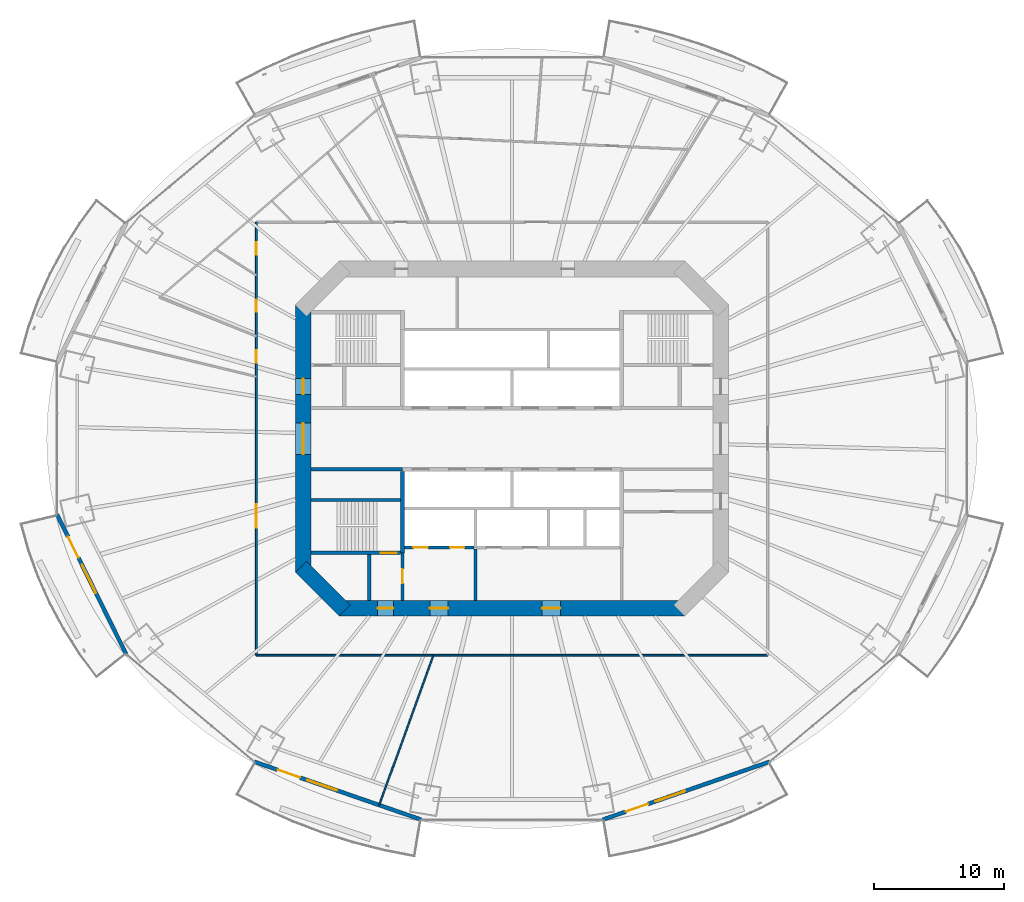
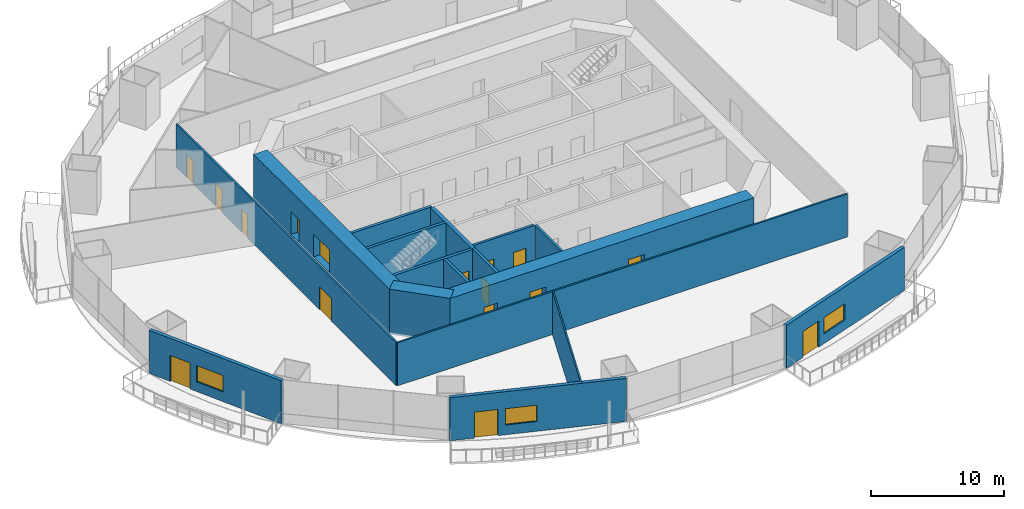
# One storey, part 13 of 22: 17 walls, 16 doors, 3 windows, 19 openings.
"""IFC4 building model written with IfcOpenShell, lengths in metres."""

from ifc_helpers import new_model, si_unit, direction, frame, frame_2d, origin, place, context, subcontext, project, spatial, rectangle, extrude, material, layer, layer_set, type_object, element, fill, save


model = new_model("IFC4")

# Units and contexts
model_context = context("Model", 3, precision=1e-05, world=origin(), true_north=direction((0.0, 1.0)))
body_context = subcontext(model_context, "Body", "Model", "MODEL_VIEW")
ifc_project = project(units=[si_unit("LENGTHUNIT", "METRE"), si_unit("AREAUNIT", "SQUARE_METRE"), si_unit("VOLUMEUNIT", "CUBIC_METRE"), si_unit("PLANEANGLEUNIT", "RADIAN"), si_unit("MASSUNIT", "GRAM", prefix="KILO")], contexts=[model_context])

# Site, building, storey
site_placement = place(None, origin())
site = spatial("IfcSite", under=ifc_project, at=site_placement, CompositionType="ELEMENT")
building_placement = place(site_placement, origin())
building = spatial("IfcBuilding", under=site, at=building_placement, Name="Marenthal Gate Tower", CompositionType="ELEMENT")
storey_placement = place(building_placement, frame((0.0, 0.0, 70.35009765625)))
storey = spatial("IfcBuildingStorey", under=building, at=storey_placement, Name="L13", CompositionType="ELEMENT", Elevation=70.35009765625)

# Wall, openings, doors
ifc_material_1 = material(Name="Concrete 60 MPa", Category="concrete")
ifc_layer_1 = layer(ifc_material_1, 1.199951171875)
ifc_layer_set_1 = layer_set([ifc_layer_1], Name="Core shear wall 1200")
wall_type_1 = type_object("IfcWallType", Name="Core shear wall 1200", PredefinedType="SHEAR", material=ifc_layer_set_1)
wall_1_placement = place(storey_placement, frame((-16.0, 10.24853515625, -0.18017578125), z_axis=(0.0, 0.0, 1.0), x_axis=(0.0, -1.0, 0.0)))
wall_1 = element("IfcWall", 1, at=wall_1_placement, inside=storey, type_object=wall_type_1, Name="Core wall 06", PredefinedType="SHEAR", context=body_context, shape_type="SweptSolid", body=[
    extrude(rectangle(XDim=20.4970703125, YDim=1.199951171875, at=frame_2d((10.24853515625, 0.0))), origin(), (0.0, 0.0, 1.0), 4.150146484375),
])
opening_1_placement = place(wall_1_placement, frame((9.048583984375, 0.0, 0.179931640625)))
opening_1 = element("IfcOpeningElement", 2, at=opening_1_placement, cuts=wall_1, Name="Opening D003.01", PredefinedType="OPENING", context=body_context, shape_type="SweptSolid", body=[
    extrude(rectangle(XDim=2.39990234375, YDim=2.10009765625, at=frame_2d((1.199951171875, 1.050048828125))), frame((0.0, 0.60986328125, 0.0), z_axis=(0.0, -1.0, 0.0), x_axis=(1.0, 0.0, 0.0)), (0.0, 0.0, 1.0), 1.219970703125),
])
opening_2_placement = place(wall_1_placement, frame((5.6484375, 0.0, 0.179931640625)))
opening_2 = element("IfcOpeningElement", 3, at=opening_2_placement, cuts=wall_1, Name="Opening D001.04", PredefinedType="OPENING", context=body_context, shape_type="SweptSolid", body=[
    extrude(rectangle(XDim=1.199951171875, YDim=2.10009765625, at=frame_2d((0.60009765625, 1.050048828125))), frame((0.0, 0.60986328125, 0.0), z_axis=(0.0, -1.0, 0.0), x_axis=(1.0, 0.0, 0.0)), (0.0, 0.0, 1.0), 1.219970703125),
])
ifc_material_2 = material(Name="Steel fire door", Category="steel")
door_type_1 = type_object("IfcDoorType", Name="Double fire door FD 45 2400 x 2100", OperationType="DOUBLE_DOOR_SINGLE_SWING", PredefinedType="DOOR", material=ifc_material_2)
door_1_placement = place(opening_1_placement, origin())
door_1 = element("IfcDoor", 4, at=door_1_placement, inside=storey, type_object=door_type_1, Name="Door D003.01", OperationType="DOUBLE_DOOR_SINGLE_SWING", OverallHeight=2.10009765625, OverallWidth=2.39990234375, PredefinedType="DOOR", context=body_context, shape_type="SweptSolid", body=[
    extrude(rectangle(XDim=2.39990234375, YDim=2.10009765625, at=frame_2d((1.199951171875, 1.050048828125))), frame((0.0, 0.02490234375, 0.0), z_axis=(0.0, -1.0, 0.0), x_axis=(1.0, 0.0, 0.0)), (0.0, 0.0, 1.0), 0.050048828125),
])
fill(opening_1, door_1)
ifc_material_3 = material(Name="Steel fire door", Category="steel")
door_type_2 = type_object("IfcDoorType", Name="Fire door FD 90 1200 x 2100", OperationType="NOTDEFINED", PredefinedType="DOOR", material=ifc_material_3)
door_2_placement = place(opening_2_placement, origin())
door_2 = element("IfcDoor", 5, at=door_2_placement, inside=storey, type_object=door_type_2, Name="Door D001.04", OperationType="SINGLE_SWING_RIGHT", OverallHeight=2.10009765625, OverallWidth=1.199951171875, PredefinedType="DOOR", context=body_context, shape_type="SweptSolid", body=[
    extrude(rectangle(XDim=1.199951171875, YDim=2.10009765625, at=frame_2d((0.60009765625, 1.050048828125))), frame((0.0, 0.02490234375, 0.0), z_axis=(0.0, -1.0, 0.0), x_axis=(1.0, 0.0, 0.0)), (0.0, 0.0, 1.0), 0.050048828125),
])
fill(opening_2, door_2)

# Wall
wall_2_placement = place(storey_placement, frame((-16.17578125, -9.82421875, -0.18017578125), z_axis=(0.0, 0.0, 1.0), x_axis=(0.707106781187, -0.707106781187, 0.0)))
element("IfcWall", 6, at=wall_2_placement, inside=storey, type_object=wall_type_1, Name="Core wall 07", PredefinedType="SHEAR", context=body_context, shape_type="SweptSolid", body=[
    extrude(rectangle(XDim=4.73974609375, YDim=1.199951171875, at=frame_2d((2.369873046875, 0.0))), origin(), (0.0, 0.0, 1.0), 4.150146484375),
])

# Wall, openings, doors
wall_3_placement = place(storey_placement, frame((-13.24853515625, -13.0, -0.18017578125), z_axis=(0.0, 0.0, 1.0), x_axis=(1.0, 0.0, 0.0)))
wall_3 = element("IfcWall", 7, at=wall_3_placement, inside=storey, type_object=wall_type_1, Name="Core wall 08", PredefinedType="SHEAR", context=body_context, shape_type="SweptSolid", body=[
    extrude(rectangle(XDim=26.4970703125, YDim=1.199951171875, at=frame_2d((13.24853515625, 0.0))), origin(), (0.0, 0.0, 1.0), 4.150146484375),
])
opening_3_placement = place(wall_3_placement, frame((2.948486328125, 0.0, 0.179931640625)))
opening_3 = element("IfcOpeningElement", 8, at=opening_3_placement, cuts=wall_3, Name="Opening D001.06", PredefinedType="OPENING", context=body_context, shape_type="SweptSolid", body=[
    extrude(rectangle(XDim=1.199951171875, YDim=2.10009765625, at=frame_2d((0.60009765625, 1.050048828125))), frame((0.0, 0.60986328125, 0.0), z_axis=(0.0, -1.0, 0.0), x_axis=(1.0, 0.0, 0.0)), (0.0, 0.0, 1.0), 1.219970703125),
])
opening_4_placement = place(wall_3_placement, frame((6.948486328125, 0.0, 0.179931640625)))
opening_4 = element("IfcOpeningElement", 9, at=opening_4_placement, cuts=wall_3, Name="Opening D004.01", PredefinedType="OPENING", context=body_context, shape_type="SweptSolid", body=[
    extrude(rectangle(XDim=1.39990234375, YDim=2.10009765625, at=frame_2d((0.699951171875, 1.050048828125))), frame((0.0, 0.60986328125, 0.0), z_axis=(0.0, -1.0, 0.0), x_axis=(1.0, 0.0, 0.0)), (0.0, 0.0, 1.0), 1.219970703125),
])
opening_5_placement = place(wall_3_placement, frame((15.548583984375, 0.0, 0.179931640625)))
opening_5 = element("IfcOpeningElement", 10, at=opening_5_placement, cuts=wall_3, Name="Opening D004.02", PredefinedType="OPENING", context=body_context, shape_type="SweptSolid", body=[
    extrude(rectangle(XDim=1.39990234375, YDim=2.10009765625, at=frame_2d((0.699951171875, 1.050048828125))), frame((0.0, 0.60986328125, 0.0), z_axis=(0.0, -1.0, 0.0), x_axis=(1.0, 0.0, 0.0)), (0.0, 0.0, 1.0), 1.219970703125),
])
ifc_material_4 = material(Name="Steel fire door", Category="steel")
door_type_3 = type_object("IfcDoorType", Name="Fire door FD 45 1400 x 2100", OperationType="NOTDEFINED", PredefinedType="DOOR", material=ifc_material_4)
door_3_placement = place(opening_4_placement, origin())
door_3 = element("IfcDoor", 11, at=door_3_placement, inside=storey, type_object=door_type_3, Name="Door D004.01", OperationType="SINGLE_SWING_RIGHT", OverallHeight=2.10009765625, OverallWidth=1.39990234375, PredefinedType="DOOR", context=body_context, shape_type="SweptSolid", body=[
    extrude(rectangle(XDim=1.39990234375, YDim=2.10009765625, at=frame_2d((0.699951171875, 1.050048828125))), frame((0.0, 0.02490234375, 0.0), z_axis=(0.0, -1.0, 0.0), x_axis=(1.0, 0.0, 0.0)), (0.0, 0.0, 1.0), 0.050048828125),
])
fill(opening_4, door_3)
door_4_placement = place(opening_5_placement, origin())
door_4 = element("IfcDoor", 12, at=door_4_placement, inside=storey, type_object=door_type_3, Name="Door D004.02", OperationType="SINGLE_SWING_RIGHT", OverallHeight=2.10009765625, OverallWidth=1.39990234375, PredefinedType="DOOR", context=body_context, shape_type="SweptSolid", body=[
    extrude(rectangle(XDim=1.39990234375, YDim=2.10009765625, at=frame_2d((0.699951171875, 1.050048828125))), frame((0.0, 0.02490234375, 0.0), z_axis=(0.0, -1.0, 0.0), x_axis=(1.0, 0.0, 0.0)), (0.0, 0.0, 1.0), 0.050048828125),
])
fill(opening_5, door_4)
door_5_placement = place(opening_3_placement, origin())
door_5 = element("IfcDoor", 13, at=door_5_placement, inside=storey, type_object=door_type_2, Name="Door D001.06", OperationType="SINGLE_SWING_RIGHT", OverallHeight=2.10009765625, OverallWidth=1.199951171875, PredefinedType="DOOR", context=body_context, shape_type="SweptSolid", body=[
    extrude(rectangle(XDim=1.199951171875, YDim=2.10009765625, at=frame_2d((0.60009765625, 1.050048828125))), frame((0.0, 0.02490234375, 0.0), z_axis=(0.0, -1.0, 0.0), x_axis=(1.0, 0.0, 0.0)), (0.0, 0.0, 1.0), 0.050048828125),
])
fill(opening_3, door_5)

# Walls
ifc_material_5 = material(Name="Gypsum board on steel studs", Category="steel")
ifc_layer_2 = layer(ifc_material_5, 0.199951171875)
ifc_layer_set_2 = layer_set([ifc_layer_2], Name="Fire lobby wall 200")
wall_type_2 = type_object("IfcWallType", Name="Fire lobby wall 200", PredefinedType="PARTITIONING", material=ifc_layer_set_2)
wall_4_placement = place(storey_placement, frame((-2.800048828125, -12.39990234375, 0.0), z_axis=(0.0, 0.0, 1.0), x_axis=(0.0, 1.0, 0.0)))
element("IfcWall", 14, at=wall_4_placement, inside=storey, type_object=wall_type_2, Name="Fire wall 35", PredefinedType="PARTITIONING", context=body_context, shape_type="SweptSolid", body=[
    extrude(rectangle(XDim=3.93994140625, YDim=0.199951171875, at=frame_2d((1.969970703125, 0.0))), origin(), (0.0, 0.0, 1.0), 3.969970703125),
])
ifc_material_6 = material(Name="Concrete 50 MPa", Category="concrete")
ifc_layer_3 = layer(ifc_material_6, 0.300048828125)
ifc_layer_set_3 = layer_set([ifc_layer_3], Name="Hoistway shear wall 300")
wall_type_3 = type_object("IfcWallType", Name="Hoistway shear wall 300", PredefinedType="SHEAR", material=ifc_layer_set_3)
wall_5_placement = place(storey_placement, frame((-8.39990234375, -8.75, -0.18017578125), z_axis=(0.0, 0.0, 1.0), x_axis=(0.0, 1.0, 0.0)))
element("IfcWall", 15, at=wall_5_placement, inside=storey, type_object=wall_type_3, Name="Hoistway wall 31", PredefinedType="SHEAR", context=body_context, shape_type="SweptSolid", body=[
    extrude(rectangle(XDim=6.25, YDim=0.300048828125, at=frame_2d((3.125, 0.0))), origin(), (0.0, 0.0, 1.0), 4.150146484375),
])

# Wall, openings, doors
ifc_material_7 = material(Name="Concrete 40 MPa", Category="concrete")
ifc_layer_4 = layer(ifc_material_7, 0.219970703125)
ifc_layer_set_4 = layer_set([ifc_layer_4], Name="Hoistway wall 220")
wall_type_4 = type_object("IfcWallType", Name="Hoistway wall 220", PredefinedType="STANDARD", material=ifc_layer_set_4)
wall_6_placement = place(storey_placement, frame((-8.25, -8.35009765625, 0.0), z_axis=(0.0, 0.0, 1.0), x_axis=(1.0, 0.0, 0.0)))
wall_6 = element("IfcWall", 16, at=wall_6_placement, inside=storey, type_object=wall_type_4, Name="Hoistway wall 10", PredefinedType="STANDARD", context=body_context, shape_type="SweptSolid", body=[
    extrude(rectangle(XDim=5.340087890625, YDim=0.219970703125, at=frame_2d((2.669921875, 0.0))), origin(), (0.0, 0.0, 1.0), 3.969970703125),
])
opening_6_placement = place(wall_6_placement, frame((0.699951171875, 0.0, 0.0)))
opening_6 = element("IfcOpeningElement", 17, at=opening_6_placement, cuts=wall_6, Name="Opening LD-LF1", PredefinedType="OPENING", context=body_context, shape_type="SweptSolid", body=[
    extrude(rectangle(XDim=1.10009765625, YDim=2.10009765625, at=frame_2d((0.550048828125, 1.050048828125))), frame((0.0, 0.1201171875, 0.0), z_axis=(0.0, -1.0, 0.0), x_axis=(1.0, 0.0, 0.0)), (0.0, 0.0, 1.0), 0.239990234375),
])
opening_7_placement = place(wall_6_placement, frame((3.5, 0.0, 0.0)))
opening_7 = element("IfcOpeningElement", 18, at=opening_7_placement, cuts=wall_6, Name="Opening LD-LF2", PredefinedType="OPENING", context=body_context, shape_type="SweptSolid", body=[
    extrude(rectangle(XDim=1.10009765625, YDim=2.10009765625, at=frame_2d((0.550048828125, 1.050048828125))), frame((0.0, 0.1201171875, 0.0), z_axis=(0.0, -1.0, 0.0), x_axis=(1.0, 0.0, 0.0)), (0.0, 0.0, 1.0), 0.239990234375),
])
ifc_material_8 = material(Name="Stainless steel sliding door", Category="steel")
door_type_4 = type_object("IfcDoorType", Name="Lift landing door FD 90 1100 x 2100", OperationType="DOUBLE_DOOR_SLIDING", PredefinedType="DOOR", material=ifc_material_8)
door_6_placement = place(opening_6_placement, origin())
door_6 = element("IfcDoor", 19, at=door_6_placement, inside=storey, type_object=door_type_4, Name="Lift landing door LF1", OperationType="DOUBLE_DOOR_SLIDING", OverallHeight=2.10009765625, OverallWidth=1.10009765625, PredefinedType="DOOR", context=body_context, shape_type="SweptSolid", body=[
    extrude(rectangle(XDim=1.10009765625, YDim=2.10009765625, at=frame_2d((0.550048828125, 1.050048828125))), frame((0.0, 0.02490234375, 0.0), z_axis=(0.0, -1.0, 0.0), x_axis=(1.0, 0.0, 0.0)), (0.0, 0.0, 1.0), 0.050048828125),
])
fill(opening_6, door_6)
door_7_placement = place(opening_7_placement, origin())
door_7 = element("IfcDoor", 20, at=door_7_placement, inside=storey, type_object=door_type_4, Name="Lift landing door LF2", OperationType="DOUBLE_DOOR_SLIDING", OverallHeight=2.10009765625, OverallWidth=1.10009765625, PredefinedType="DOOR", context=body_context, shape_type="SweptSolid", body=[
    extrude(rectangle(XDim=1.10009765625, YDim=2.10009765625, at=frame_2d((0.550048828125, 1.050048828125))), frame((0.0, 0.02490234375, 0.0), z_axis=(0.0, -1.0, 0.0), x_axis=(1.0, 0.0, 0.0)), (0.0, 0.0, 1.0), 0.050048828125),
])
fill(opening_7, door_7)

# Wall
ifc_material_9 = material(Name="Gypsum board on steel studs", Category="steel")
ifc_layer_5 = layer(ifc_material_9, 0.1201171875)
ifc_layer_set_5 = layer_set([ifc_layer_5], Name="Partition 120")
wall_type_5 = type_object("IfcWallType", Name="Partition 120", PredefinedType="PARTITIONING", material=ifc_layer_set_5)
wall_7_placement = place(storey_placement, frame((-6.016357421875, -16.60009765625, 0.0), z_axis=(0.0, 0.0, 1.0), x_axis=(-0.340736841992, -0.940158712404, 0.0)))
element("IfcWall", 21, at=wall_7_placement, inside=storey, type_object=wall_type_5, Name="Partition wall 56", PredefinedType="PARTITIONING", context=body_context, shape_type="SweptSolid", body=[
    extrude(rectangle(XDim=12.21728515625, YDim=0.1201171875, at=frame_2d((6.108642578125, 0.0))), origin(), (0.0, 0.0, 1.0), 3.969970703125),
])

# Wall, openings, doors
ifc_material_10 = material(Name="Gypsum board on steel studs", Category="steel")
ifc_layer_6 = layer(ifc_material_10, 0.14990234375)
ifc_layer_set_6 = layer_set([ifc_layer_6], Name="Partition 150")
wall_type_6 = type_object("IfcWallType", Name="Partition 150", PredefinedType="PARTITIONING", material=ifc_layer_set_6)
wall_8_placement = place(storey_placement, frame((-19.60009765625, -16.60009765625, 0.0), z_axis=(0.0, 0.0, 1.0), x_axis=(0.0, 1.0, 0.0)))
wall_8 = element("IfcWall", 22, at=wall_8_placement, inside=storey, type_object=wall_type_6, Name="Partition wall 49", PredefinedType="PARTITIONING", context=body_context, shape_type="SweptSolid", body=[
    extrude(rectangle(XDim=33.2001953125, YDim=0.14990234375, at=frame_2d((16.60009765625, 0.0))), origin(), (0.0, 0.0, 1.0), 3.969970703125),
])
opening_8_placement = place(wall_8_placement, frame((30.68798828125, 0.0, 0.0)))
opening_8 = element("IfcOpeningElement", 23, at=opening_8_placement, cuts=wall_8, Name="Opening D016.05", PredefinedType="OPENING", context=body_context, shape_type="SweptSolid", body=[
    extrude(rectangle(XDim=0.949951171875, YDim=2.10009765625, at=frame_2d((0.47509765625, 1.050048828125))), frame((0.0, 0.0849609375, 0.0), z_axis=(0.0, -1.0, 0.0), x_axis=(1.0, 0.0, 0.0)), (0.0, 0.0, 1.0), 0.169921875),
])
opening_9_placement = place(wall_8_placement, frame((26.31103515625, 0.0, 0.0)))
opening_9 = element("IfcOpeningElement", 24, at=opening_9_placement, cuts=wall_8, Name="Opening D016.06", PredefinedType="OPENING", context=body_context, shape_type="SweptSolid", body=[
    extrude(rectangle(XDim=0.949951171875, YDim=2.10009765625, at=frame_2d((0.47509765625, 1.050048828125))), frame((0.0, 0.0849609375, 0.0), z_axis=(0.0, -1.0, 0.0), x_axis=(1.0, 0.0, 0.0)), (0.0, 0.0, 1.0), 0.169921875),
])
opening_10_placement = place(wall_8_placement, frame((22.426025390625, 0.0, 0.0)))
opening_10 = element("IfcOpeningElement", 25, at=opening_10_placement, cuts=wall_8, Name="Opening D016.07", PredefinedType="OPENING", context=body_context, shape_type="SweptSolid", body=[
    extrude(rectangle(XDim=0.949951171875, YDim=2.10009765625, at=frame_2d((0.47509765625, 1.050048828125))), frame((0.0, 0.0849609375, 0.0), z_axis=(0.0, -1.0, 0.0), x_axis=(1.0, 0.0, 0.0)), (0.0, 0.0, 1.0), 0.169921875),
])
opening_11_placement = place(wall_8_placement, frame((9.778076171875, 0.0, 0.0)))
opening_11 = element("IfcOpeningElement", 26, at=opening_11_placement, cuts=wall_8, Name="Opening D014.02", PredefinedType="OPENING", context=body_context, shape_type="SweptSolid", body=[
    extrude(rectangle(XDim=1.800048828125, YDim=2.10009765625, at=frame_2d((0.89990234375, 1.050048828125))), frame((0.0, 0.0849609375, 0.0), z_axis=(0.0, -1.0, 0.0), x_axis=(1.0, 0.0, 0.0)), (0.0, 0.0, 1.0), 0.169921875),
])
ifc_material_11 = material(Name="Timber door", Category="wood")
door_type_5 = type_object("IfcDoorType", Name="Door 950 x 2100", OperationType="NOTDEFINED", PredefinedType="DOOR", material=ifc_material_11)
door_8_placement = place(opening_8_placement, origin())
door_8 = element("IfcDoor", 27, at=door_8_placement, inside=storey, type_object=door_type_5, Name="Door D016.05", OperationType="SINGLE_SWING_RIGHT", OverallHeight=2.10009765625, OverallWidth=0.949951171875, PredefinedType="DOOR", context=body_context, shape_type="SweptSolid", body=[
    extrude(rectangle(XDim=0.949951171875, YDim=2.10009765625, at=frame_2d((0.47509765625, 1.050048828125))), frame((0.0, 0.02490234375, 0.0), z_axis=(0.0, -1.0, 0.0), x_axis=(1.0, 0.0, 0.0)), (0.0, 0.0, 1.0), 0.050048828125),
])
fill(opening_8, door_8)
door_9_placement = place(opening_9_placement, origin())
door_9 = element("IfcDoor", 28, at=door_9_placement, inside=storey, type_object=door_type_5, Name="Door D016.06", OperationType="SINGLE_SWING_RIGHT", OverallHeight=2.10009765625, OverallWidth=0.949951171875, PredefinedType="DOOR", context=body_context, shape_type="SweptSolid", body=[
    extrude(rectangle(XDim=0.949951171875, YDim=2.10009765625, at=frame_2d((0.47509765625, 1.050048828125))), frame((0.0, 0.02490234375, 0.0), z_axis=(0.0, -1.0, 0.0), x_axis=(1.0, 0.0, 0.0)), (0.0, 0.0, 1.0), 0.050048828125),
])
fill(opening_9, door_9)
door_10_placement = place(opening_10_placement, origin())
door_10 = element("IfcDoor", 29, at=door_10_placement, inside=storey, type_object=door_type_5, Name="Door D016.07", OperationType="SINGLE_SWING_RIGHT", OverallHeight=2.10009765625, OverallWidth=0.949951171875, PredefinedType="DOOR", context=body_context, shape_type="SweptSolid", body=[
    extrude(rectangle(XDim=0.949951171875, YDim=2.10009765625, at=frame_2d((0.47509765625, 1.050048828125))), frame((0.0, 0.02490234375, 0.0), z_axis=(0.0, -1.0, 0.0), x_axis=(1.0, 0.0, 0.0)), (0.0, 0.0, 1.0), 0.050048828125),
])
fill(opening_10, door_10)
ifc_material_12 = material(Name="Timber door", Category="wood")
door_type_6 = type_object("IfcDoorType", Name="Double door 1800 x 2100", OperationType="DOUBLE_DOOR_SINGLE_SWING", PredefinedType="DOOR", material=ifc_material_12)
door_11_placement = place(opening_11_placement, origin())
door_11 = element("IfcDoor", 30, at=door_11_placement, inside=storey, type_object=door_type_6, Name="Door D014.02", OperationType="DOUBLE_DOOR_SINGLE_SWING", OverallHeight=2.10009765625, OverallWidth=1.800048828125, PredefinedType="DOOR", context=body_context, shape_type="SweptSolid", body=[
    extrude(rectangle(XDim=1.800048828125, YDim=2.10009765625, at=frame_2d((0.89990234375, 1.050048828125))), frame((0.0, 0.02490234375, 0.0), z_axis=(0.0, -1.0, 0.0), x_axis=(1.0, 0.0, 0.0)), (0.0, 0.0, 1.0), 0.050048828125),
])
fill(opening_11, door_11)

# Walls
wall_9_placement = place(storey_placement, frame((19.60009765625, -16.60009765625, 0.0), z_axis=(0.0, 0.0, 1.0), x_axis=(-1.0, 0.0, 0.0)))
element("IfcWall", 31, at=wall_9_placement, inside=storey, type_object=wall_type_6, Name="Partition wall 60", PredefinedType="PARTITIONING", context=body_context, shape_type="SweptSolid", body=[
    extrude(rectangle(XDim=39.2001953125, YDim=0.14990234375, at=frame_2d((19.60009765625, 0.0))), origin(), (0.0, 0.0, 1.0), 3.969970703125),
])
ifc_material_13 = material(Name="Concrete 40 MPa", Category="concrete")
ifc_layer_7 = layer(ifc_material_13, 0.25)
ifc_layer_set_7 = layer_set([ifc_layer_7], Name="Stair enclosure wall 250")
wall_type_7 = type_object("IfcWallType", Name="Stair enclosure wall 250", PredefinedType="STANDARD", material=ifc_layer_set_7)
wall_10_placement = place(storey_placement, frame((-15.39990234375, -2.35009765625, 0.0), z_axis=(0.0, 0.0, 1.0), x_axis=(1.0, 0.0, 0.0)))
element("IfcWall", 32, at=wall_10_placement, inside=storey, type_object=wall_type_7, Name="Stair wall 16", PredefinedType="STANDARD", context=body_context, shape_type="SweptSolid", body=[
    extrude(rectangle(XDim=7.0, YDim=0.25, at=frame_2d((3.5, 0.0))), origin(), (0.0, 0.0, 1.0), 3.969970703125),
])
wall_11_placement = place(storey_placement, frame((-10.949951171875, -12.39990234375, 0.0), z_axis=(0.0, 0.0, 1.0), x_axis=(0.0, 1.0, 0.0)))
element("IfcWall", 33, at=wall_11_placement, inside=storey, type_object=wall_type_7, Name="Stair wall 29", PredefinedType="STANDARD", context=body_context, shape_type="SweptSolid", body=[
    extrude(rectangle(XDim=3.52490234375, YDim=0.25, at=frame_2d((1.762451171875, 0.0))), origin(), (0.0, 0.0, 1.0), 3.969970703125),
])

# Wall, opening, door
wall_12_placement = place(storey_placement, frame((-8.39990234375, -12.39990234375, 0.0), z_axis=(0.0, 0.0, 1.0), x_axis=(0.0, 1.0, 0.0)))
wall_12 = element("IfcWall", 34, at=wall_12_placement, inside=storey, type_object=wall_type_7, Name="Stair wall 30", PredefinedType="STANDARD", context=body_context, shape_type="SweptSolid", body=[
    extrude(rectangle(XDim=3.64990234375, YDim=0.25, at=frame_2d((1.824951171875, 0.0))), origin(), (0.0, 0.0, 1.0), 3.969970703125),
])
opening_12_placement = place(wall_12_placement, frame((1.300048828125, 0.0, 0.0)))
opening_12 = element("IfcOpeningElement", 35, at=opening_12_placement, cuts=wall_12, Name="Opening D002.01", PredefinedType="OPENING", context=body_context, shape_type="SweptSolid", body=[
    extrude(rectangle(XDim=1.10009765625, YDim=2.10009765625, at=frame_2d((0.550048828125, 1.050048828125))), frame((0.0, 0.135009765625, 0.0), z_axis=(0.0, -1.0, 0.0), x_axis=(1.0, 0.0, 0.0)), (0.0, 0.0, 1.0), 0.27001953125),
])
ifc_material_14 = material(Name="Steel fire door", Category="steel")
door_type_7 = type_object("IfcDoorType", Name="Fire door FD 90 1100 x 2100", OperationType="NOTDEFINED", PredefinedType="DOOR", material=ifc_material_14)
door_12_placement = place(opening_12_placement, origin())
door_12 = element("IfcDoor", 36, at=door_12_placement, inside=storey, type_object=door_type_7, Name="Door D002.01", OperationType="SINGLE_SWING_RIGHT", OverallHeight=2.10009765625, OverallWidth=1.10009765625, PredefinedType="DOOR", context=body_context, shape_type="SweptSolid", body=[
    extrude(rectangle(XDim=1.10009765625, YDim=2.10009765625, at=frame_2d((0.550048828125, 1.050048828125))), frame((0.0, 0.02490234375, 0.0), z_axis=(0.0, -1.0, 0.0), x_axis=(1.0, 0.0, 0.0)), (0.0, 0.0, 1.0), 0.050048828125),
])
fill(opening_12, door_12)

ifc_material_15 = material(Name="Concrete 50 MPa", Category="concrete")
ifc_layer_8 = layer(ifc_material_15, 0.25)
ifc_layer_set_8 = layer_set([ifc_layer_8], Name="Stair shear wall 250")
wall_type_8 = type_object("IfcWallType", Name="Stair shear wall 250", PredefinedType="SHEAR", material=ifc_layer_set_8)
wall_13_placement = place(storey_placement, frame((-15.39990234375, -8.75, -0.18017578125), z_axis=(0.0, 0.0, 1.0), x_axis=(1.0, 0.0, 0.0)))
wall_13 = element("IfcWall", 37, at=wall_13_placement, inside=storey, type_object=wall_type_8, Name="Stair wall 09", PredefinedType="SHEAR", context=body_context, shape_type="SweptSolid", body=[
    extrude(rectangle(XDim=6.849853515625, YDim=0.25, at=frame_2d((3.4248046875, 0.0))), origin(), (0.0, 0.0, 1.0), 4.150146484375),
])
opening_13_placement = place(wall_13_placement, frame((5.35009765625, 0.0, 0.179931640625)))
opening_13 = element("IfcOpeningElement", 38, at=opening_13_placement, cuts=wall_13, Name="Opening D001.03", PredefinedType="OPENING", context=body_context, shape_type="SweptSolid", body=[
    extrude(rectangle(XDim=1.199951171875, YDim=2.10009765625, at=frame_2d((0.60009765625, 1.050048828125))), frame((0.0, 0.135009765625, 0.0), z_axis=(0.0, -1.0, 0.0), x_axis=(1.0, 0.0, 0.0)), (0.0, 0.0, 1.0), 0.27001953125),
])
door_13_placement = place(opening_13_placement, origin())
door_13 = element("IfcDoor", 39, at=door_13_placement, inside=storey, type_object=door_type_2, Name="Door D001.03", OperationType="SINGLE_SWING_RIGHT", OverallHeight=2.10009765625, OverallWidth=1.199951171875, PredefinedType="DOOR", context=body_context, shape_type="SweptSolid", body=[
    extrude(rectangle(XDim=1.199951171875, YDim=2.10009765625, at=frame_2d((0.60009765625, 1.050048828125))), frame((0.0, 0.02490234375, 0.0), z_axis=(0.0, -1.0, 0.0), x_axis=(1.0, 0.0, 0.0)), (0.0, 0.0, 1.0), 0.050048828125),
])
fill(opening_13, door_13)

# Wall
wall_14_placement = place(storey_placement, frame((-15.39990234375, -4.699951171875, -0.18017578125), z_axis=(0.0, 0.0, 1.0), x_axis=(1.0, 0.0, 0.0)))
element("IfcWall", 40, at=wall_14_placement, inside=storey, type_object=wall_type_8, Name="Stair wall 14", PredefinedType="SHEAR", context=body_context, shape_type="SweptSolid", body=[
    extrude(rectangle(XDim=6.849853515625, YDim=0.25, at=frame_2d((3.4248046875, 0.0))), origin(), (0.0, 0.0, 1.0), 4.150146484375),
])

# Wall, openings, door, window
ifc_material_16 = material(Name="Terracotta cladding on insulated concrete-block backing", Category="masonry")
ifc_layer_9 = layer(ifc_material_16, 0.300048828125)
ifc_layer_set_9 = layer_set([ifc_layer_9], Name="Terracotta facade wall 300")
wall_type_9 = type_object("IfcWallType", Name="Terracotta facade wall 300", PredefinedType="SOLIDWALL", material=ifc_layer_set_9)
wall_15_placement = place(storey_placement, frame((-34.869873046875, -5.810546875, 0.0), z_axis=(0.0, 0.0, 1.0), x_axis=(0.443222110109, -0.896411825619, 0.0)))
wall_15 = element("IfcWall", 41, at=wall_15_placement, inside=storey, type_object=wall_type_9, Name="Terracotta facade wall L13 bay 9", PredefinedType="SOLIDWALL", context=body_context, shape_type="SweptSolid", body=[
    extrude(rectangle(XDim=11.977294921875, YDim=0.300048828125, at=frame_2d((5.98876953125, 0.0))), origin(), (0.0, 0.0, 1.0), 3.969970703125),
])
opening_14_placement = place(wall_15_placement, frame((1.89990234375, 0.0, 0.0)))
opening_14 = element("IfcOpeningElement", 42, at=opening_14_placement, cuts=wall_15, Name="Opening BD-L13-09", PredefinedType="OPENING", context=body_context, shape_type="SweptSolid", body=[
    extrude(rectangle(XDim=1.800048828125, YDim=2.39990234375, at=frame_2d((0.89990234375, 1.199951171875))), frame((0.0, 0.16015625, 0.0), z_axis=(0.0, -1.0, 0.0), x_axis=(1.0, 0.0, 0.0)), (0.0, 0.0, 1.0), 0.320068359375),
])
opening_15_placement = place(wall_15_placement, frame((4.300048828125, 0.0, 0.89990234375)))
opening_15 = element("IfcOpeningElement", 43, at=opening_15_placement, cuts=wall_15, Name="Opening WN1-L13-09", PredefinedType="OPENING", context=body_context, shape_type="SweptSolid", body=[
    extrude(rectangle(XDim=2.39990234375, YDim=1.5, at=frame_2d((1.199951171875, 0.75))), frame((0.0, 0.16015625, 0.0), z_axis=(0.0, -1.0, 0.0), x_axis=(1.0, 0.0, 0.0)), (0.0, 0.0, 1.0), 0.320068359375),
])
ifc_material_17 = material(Name="Aluminium and glass", Category="aluminium")
door_type_8 = type_object("IfcDoorType", Name="Balcony door 1800x2400", OperationType="DOUBLE_DOOR_SINGLE_SWING", PredefinedType="DOOR", material=ifc_material_17)
door_14_placement = place(opening_14_placement, origin())
door_14 = element("IfcDoor", 44, at=door_14_placement, inside=storey, type_object=door_type_8, Name="Balcony door L13 bay 9", OperationType="SINGLE_SWING_LEFT", OverallHeight=2.39990234375, OverallWidth=1.800048828125, PredefinedType="DOOR", context=body_context, shape_type="SweptSolid", body=[
    extrude(rectangle(XDim=1.800048828125, YDim=2.39990234375, at=frame_2d((0.89990234375, 1.199951171875))), frame((0.0, 0.02490234375, 0.0), z_axis=(0.0, -1.0, 0.0), x_axis=(1.0, 0.0, 0.0)), (0.0, 0.0, 1.0), 0.050048828125),
])
fill(opening_14, door_14)
ifc_material_18 = material(Name="Aluminium and glass", Category="aluminium")
window_type = type_object("IfcWindowType", Name="Window 2400x1500", PartitioningType="TRIPLE_PANEL_VERTICAL", PredefinedType="WINDOW", material=ifc_material_18)
window_1_placement = place(opening_15_placement, origin())
window_1 = element("IfcWindow", 45, at=window_1_placement, inside=storey, type_object=window_type, Name="Window L13 bay 9", OverallHeight=1.5, OverallWidth=2.39990234375, PartitioningType="SINGLE_PANEL", PredefinedType="WINDOW", context=body_context, shape_type="SweptSolid", body=[
    extrude(rectangle(XDim=2.39990234375, YDim=1.5, at=frame_2d((1.199951171875, 0.75))), frame((0.0, 0.030029296875, 0.0), z_axis=(0.0, -1.0, 0.0), x_axis=(1.0, 0.0, 0.0)), (0.0, 0.0, 1.0), 0.06005859375),
])
fill(opening_15, window_1)

wall_16_placement = place(storey_placement, frame((-19.752197265625, -24.764404296875, 0.0), z_axis=(0.0, 0.0, 1.0), x_axis=(0.94473738927, -0.327828103304, 0.0)))
wall_16 = element("IfcWall", 46, at=wall_16_placement, inside=storey, type_object=wall_type_9, Name="Terracotta facade wall L13 bay 11", PredefinedType="SOLIDWALL", context=body_context, shape_type="SweptSolid", body=[
    extrude(rectangle(XDim=13.56591796875, YDim=0.300048828125, at=frame_2d((6.782958984375, 0.0))), origin(), (0.0, 0.0, 1.0), 3.969970703125),
])
opening_16_placement = place(wall_16_placement, frame((1.89990234375, 0.0, 0.0)))
opening_16 = element("IfcOpeningElement", 47, at=opening_16_placement, cuts=wall_16, Name="Opening BD-L13-11", PredefinedType="OPENING", context=body_context, shape_type="SweptSolid", body=[
    extrude(rectangle(XDim=1.800048828125, YDim=2.39990234375, at=frame_2d((0.89990234375, 1.199951171875))), frame((0.0, 0.16015625, 0.0), z_axis=(0.0, -1.0, 0.0), x_axis=(1.0, 0.0, 0.0)), (0.0, 0.0, 1.0), 0.320068359375),
])
opening_17_placement = place(wall_16_placement, frame((4.300048828125, 0.0, 0.89990234375)))
opening_17 = element("IfcOpeningElement", 48, at=opening_17_placement, cuts=wall_16, Name="Opening WN1-L13-11", PredefinedType="OPENING", context=body_context, shape_type="SweptSolid", body=[
    extrude(rectangle(XDim=2.39990234375, YDim=1.5, at=frame_2d((1.199951171875, 0.75))), frame((0.0, 0.16015625, 0.0), z_axis=(0.0, -1.0, 0.0), x_axis=(1.0, 0.0, 0.0)), (0.0, 0.0, 1.0), 0.320068359375),
])
door_15_placement = place(opening_16_placement, origin())
door_15 = element("IfcDoor", 49, at=door_15_placement, inside=storey, type_object=door_type_8, Name="Balcony door L13 bay 11", OperationType="SINGLE_SWING_LEFT", OverallHeight=2.39990234375, OverallWidth=1.800048828125, PredefinedType="DOOR", context=body_context, shape_type="SweptSolid", body=[
    extrude(rectangle(XDim=1.800048828125, YDim=2.39990234375, at=frame_2d((0.89990234375, 1.199951171875))), frame((0.0, 0.02490234375, 0.0), z_axis=(0.0, -1.0, 0.0), x_axis=(1.0, 0.0, 0.0)), (0.0, 0.0, 1.0), 0.050048828125),
])
fill(opening_16, door_15)
window_2_placement = place(opening_17_placement, origin())
window_2 = element("IfcWindow", 50, at=window_2_placement, inside=storey, type_object=window_type, Name="Window L13 bay 11", OverallHeight=1.5, OverallWidth=2.39990234375, PartitioningType="SINGLE_PANEL", PredefinedType="WINDOW", context=body_context, shape_type="SweptSolid", body=[
    extrude(rectangle(XDim=2.39990234375, YDim=1.5, at=frame_2d((1.199951171875, 0.75))), frame((0.0, 0.030029296875, 0.0), z_axis=(0.0, -1.0, 0.0), x_axis=(1.0, 0.0, 0.0)), (0.0, 0.0, 1.0), 0.06005859375),
])
fill(opening_17, window_2)

wall_17_placement = place(storey_placement, frame((6.93603515625, -29.211669921875, 0.0), z_axis=(0.0, 0.0, 1.0), x_axis=(0.94473738927, 0.327828103304, 0.0)))
wall_17 = element("IfcWall", 51, at=wall_17_placement, inside=storey, type_object=wall_type_9, Name="Terracotta facade wall L13 bay 13", PredefinedType="SOLIDWALL", context=body_context, shape_type="SweptSolid", body=[
    extrude(rectangle(XDim=13.56591796875, YDim=0.300048828125, at=frame_2d((6.782958984375, 0.0))), origin(), (0.0, 0.0, 1.0), 3.969970703125),
])
opening_18_placement = place(wall_17_placement, frame((1.89990234375, 0.0, 0.0)))
opening_18 = element("IfcOpeningElement", 52, at=opening_18_placement, cuts=wall_17, Name="Opening BD-L13-13", PredefinedType="OPENING", context=body_context, shape_type="SweptSolid", body=[
    extrude(rectangle(XDim=1.800048828125, YDim=2.39990234375, at=frame_2d((0.89990234375, 1.199951171875))), frame((0.0, 0.16015625, 0.0), z_axis=(0.0, -1.0, 0.0), x_axis=(1.0, 0.0, 0.0)), (0.0, 0.0, 1.0), 0.320068359375),
])
opening_19_placement = place(wall_17_placement, frame((4.300048828125, 0.0, 0.89990234375)))
opening_19 = element("IfcOpeningElement", 53, at=opening_19_placement, cuts=wall_17, Name="Opening WN1-L13-13", PredefinedType="OPENING", context=body_context, shape_type="SweptSolid", body=[
    extrude(rectangle(XDim=2.39990234375, YDim=1.5, at=frame_2d((1.199951171875, 0.75))), frame((0.0, 0.16015625, 0.0), z_axis=(0.0, -1.0, 0.0), x_axis=(1.0, 0.0, 0.0)), (0.0, 0.0, 1.0), 0.320068359375),
])
door_16_placement = place(opening_18_placement, origin())
door_16 = element("IfcDoor", 54, at=door_16_placement, inside=storey, type_object=door_type_8, Name="Balcony door L13 bay 13", OperationType="SINGLE_SWING_LEFT", OverallHeight=2.39990234375, OverallWidth=1.800048828125, PredefinedType="DOOR", context=body_context, shape_type="SweptSolid", body=[
    extrude(rectangle(XDim=1.800048828125, YDim=2.39990234375, at=frame_2d((0.89990234375, 1.199951171875))), frame((0.0, 0.02490234375, 0.0), z_axis=(0.0, -1.0, 0.0), x_axis=(1.0, 0.0, 0.0)), (0.0, 0.0, 1.0), 0.050048828125),
])
fill(opening_18, door_16)
window_3_placement = place(opening_19_placement, origin())
window_3 = element("IfcWindow", 55, at=window_3_placement, inside=storey, type_object=window_type, Name="Window L13 bay 13", OverallHeight=1.5, OverallWidth=2.39990234375, PartitioningType="SINGLE_PANEL", PredefinedType="WINDOW", context=body_context, shape_type="SweptSolid", body=[
    extrude(rectangle(XDim=2.39990234375, YDim=1.5, at=frame_2d((1.199951171875, 0.75))), frame((0.0, 0.030029296875, 0.0), z_axis=(0.0, -1.0, 0.0), x_axis=(1.0, 0.0, 0.0)), (0.0, 0.0, 1.0), 0.06005859375),
])
fill(opening_19, window_3)

save(model, "model.ifc")
